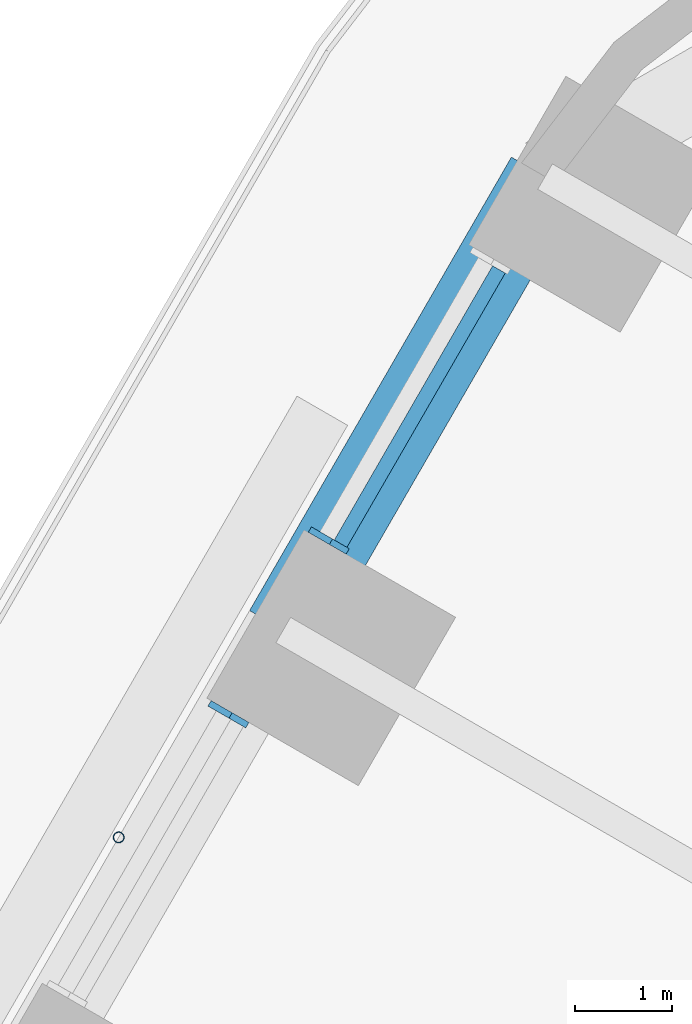
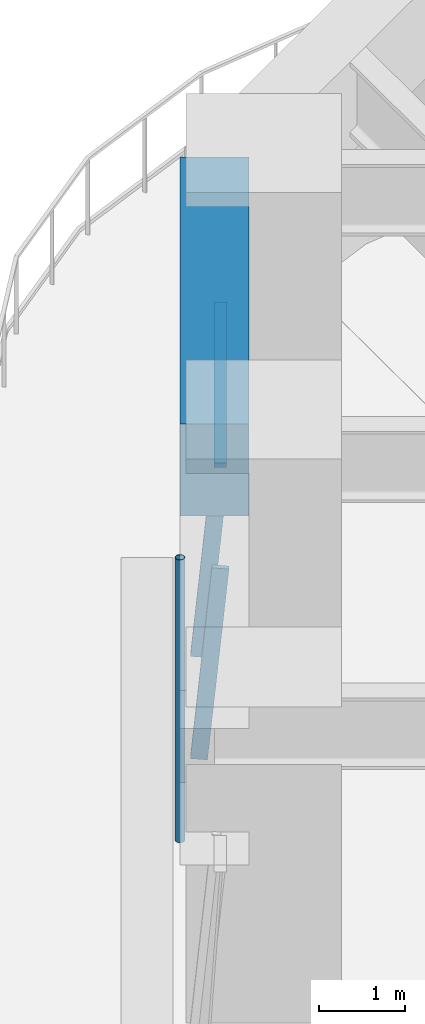
# One storey, part 9 of 23: 4 members, 1 beam, 2 elements without a shape of their own.
"""IFC4 building model written with IfcOpenShell, lengths in metres."""

from ifc_helpers import new_model, si_unit, direction, frame, origin, origin_2d, place, context, subcontext, project, spatial, rectangle, hollow_circle, extrude, material, material_profile, profile_set, type_object, element, aggregate, save


model = new_model("IFC4")

# Units and contexts
model_context = context("Model", 3, precision=1e-05, world=origin(), true_north=direction((0.0, 1.0)))
body_context = subcontext(model_context, "Body", "Model", "MODEL_VIEW")
ifc_project = project(units=[si_unit("LENGTHUNIT", "METRE"), si_unit("AREAUNIT", "SQUARE_METRE"), si_unit("VOLUMEUNIT", "CUBIC_METRE"), si_unit("PLANEANGLEUNIT", "RADIAN"), si_unit("MASSUNIT", "GRAM", prefix="KILO")], contexts=[model_context])

# Site, building, storey
site_placement = place(None, origin())
site = spatial("IfcSite", under=ifc_project, at=site_placement, CompositionType="ELEMENT")
building_placement = place(site_placement, origin())
building = spatial("IfcBuilding", under=site, at=building_placement, Name="Tarfa Lantern Tower", CompositionType="ELEMENT")
storey_placement = place(building_placement, frame((0.0, 0.0, 61.300048828125)))
storey = spatial("IfcBuildingStorey", under=building, at=storey_placement, Name="L13", CompositionType="ELEMENT", Elevation=61.300048828125)

# Curtain wall, member
ifc_material_1 = material(Name="Aluminium framed curtain wall", Category="aluminium")
curtain_wall_type = type_object("IfcCurtainWallType", Name="CW1 CANTED GLAZING LOW ZONE 2700", PredefinedType="USERDEFINED", material=ifc_material_1)
curtain_wall_1_placement = place(storey_placement, origin())
curtain_wall_1 = element("IfcCurtainWall", 1, at=curtain_wall_1_placement, inside=storey, type_object=curtain_wall_type, Name="CW1 NW L13", ObjectType="CURTAIN WALL", PredefinedType="USERDEFINED")
ifc_material_2 = material(Name="Aluminium mullion", Category="aluminium")
ifc_material_profile_1 = material_profile(ifc_material_2, rectangle(XDim=0.06494140625, YDim=0.199951171875, at=origin_2d()), Name="AL MULLION 65x200")
ifc_profile_set_1 = profile_set([ifc_material_profile_1], Name="Aluminium mullion")
member_type_1 = type_object("IfcMemberType", Name="CWM1 MULLION 65x200", PredefinedType="MULLION", material=ifc_profile_set_1)
member_1_placement = place(storey_placement, frame((-23.453369140625, 27.177490234375, 0.0), z_axis=(0.07986442134, -0.046099868913, 0.99573916077), x_axis=(0.499919672301, 0.866071776036, 0.0)))
member_1 = element("IfcMember", 2, at=member_1_placement, type_object=member_type_1, Name="CW1 mullion 2", PredefinedType="MULLION", context=body_context, shape_type="SweptSolid", body=[
    extrude(rectangle(XDim=0.06494140625, YDim=0.199951171875, at=origin_2d()), origin(), (0.0, 0.0, 1.0), 2.71142578125),
])

curtain_wall_2_placement = place(storey_placement, origin())
curtain_wall_2 = element("IfcCurtainWall", 3, at=curtain_wall_2_placement, inside=storey, type_object=curtain_wall_type, Name="CW1 NW L13", ObjectType="CURTAIN WALL", PredefinedType="USERDEFINED")
member_2_placement = place(storey_placement, frame((-24.48583984375, 25.38916015625, 0.0), z_axis=(0.07986442134, -0.046099868913, 0.99573916077), x_axis=(0.499919672301, 0.866071776036, 0.0)))
member_2 = element("IfcMember", 4, at=member_2_placement, type_object=member_type_1, Name="CW1 mullion 1", PredefinedType="MULLION", context=body_context, shape_type="SweptSolid", body=[
    extrude(rectangle(XDim=0.06494140625, YDim=0.199951171875, at=origin_2d()), origin(), (0.0, 0.0, 1.0), 2.71142578125),
])
aggregate(curtain_wall_2, [member_2])

# Member
ifc_material_3 = material(Name="Aluminium transom", Category="aluminium")
ifc_material_profile_2 = material_profile(ifc_material_3, rectangle(XDim=0.14990234375, YDim=0.06494140625, at=origin_2d()), Name="AL TRANSOM 150x65")
ifc_profile_set_2 = profile_set([ifc_material_profile_2], Name="Aluminium transom")
member_type_2 = type_object("IfcMemberType", Name="CWT1 TRANSOM 150x65", PredefinedType="USERDEFINED", material=ifc_profile_set_2)
member_3_placement = place(storey_placement, frame((-21.593994140625, 29.904296875, 2.66748046875), z_axis=(-0.499966746847, -0.86604460165, 0.0), x_axis=(0.86604460165, -0.499966746847, 0.0)))
member_3 = element("IfcMember", 5, at=member_3_placement, type_object=member_type_2, Name="CW1 transom 1.2", ObjectType="TRANSOM", PredefinedType="USERDEFINED", context=body_context, shape_type="SweptSolid", body=[
    extrude(rectangle(XDim=0.14990234375, YDim=0.06494140625, at=origin_2d()), origin(), (0.0, 0.0, 1.0), 3.258544921875),
])

aggregate(curtain_wall_1, [member_1, member_3])

# Beam
ifc_material_4 = material(Name="Concrete C80/95", Category="concrete")
ifc_material_profile_3 = material_profile(ifc_material_4, rectangle(XDim=0.800048828125, YDim=1.300048828125, at=origin_2d()), Name="RC 800x1300")
ifc_profile_set_3 = profile_set([ifc_material_profile_3], Name="Concrete C80/95")
beam_type = type_object("IfcBeamType", Name="EB1 RC 800x1300", PredefinedType="SPANDREL", material=ifc_profile_set_3)
beam_placement = place(storey_placement, frame((-21.119384765625, 30.860107421875, 3.349853515625), z_axis=(-0.499998287579, -0.866026392449, 0.0), x_axis=(0.866026392449, -0.499998287579, 0.0)))
element("IfcBeam", 6, at=beam_placement, inside=storey, type_object=beam_type, Name="Edge beam NW0", PredefinedType="SPANDREL", context=body_context, shape_type="SweptSolid", body=[
    extrude(rectangle(XDim=0.800048828125, YDim=1.300048828125, at=origin_2d()), origin(), (0.0, 0.0, 1.0), 5.388671875),
])

# Member
ifc_material_5 = material(Name="Steel S355", Category="steel")
ifc_material_profile_4 = material_profile(ifc_material_5, hollow_circle(Radius=0.05712890625, WallThickness=0.00634765625, at=origin_2d()), Name="CHS114.3x6.3")
ifc_profile_set_4 = profile_set([ifc_material_profile_4], Name="Steel S355")
member_type_3 = type_object("IfcMemberType", Name="TR1 GREEN WALL TRELLIS CHS114.3x6.3", PredefinedType="USERDEFINED", material=ifc_profile_set_4)
member_4_placement = place(storey_placement, frame((-25.50732421875, 24.06005859375, 0.0), z_axis=(0.0, 0.0, 1.0), x_axis=(1.0, 0.0, 0.0)))
element("IfcMember", 7, at=member_4_placement, inside=storey, type_object=member_type_3, Name="Trellis post NW 1", ObjectType="TRELLIS", PredefinedType="USERDEFINED", context=body_context, shape_type="SweptSolid", body=[
    extrude(hollow_circle(Radius=0.05712890625, WallThickness=0.00634765625, at=origin_2d()), origin(), (0.0, 0.0, 1.0), 4.0),
])

save(model, "model.ifc")
